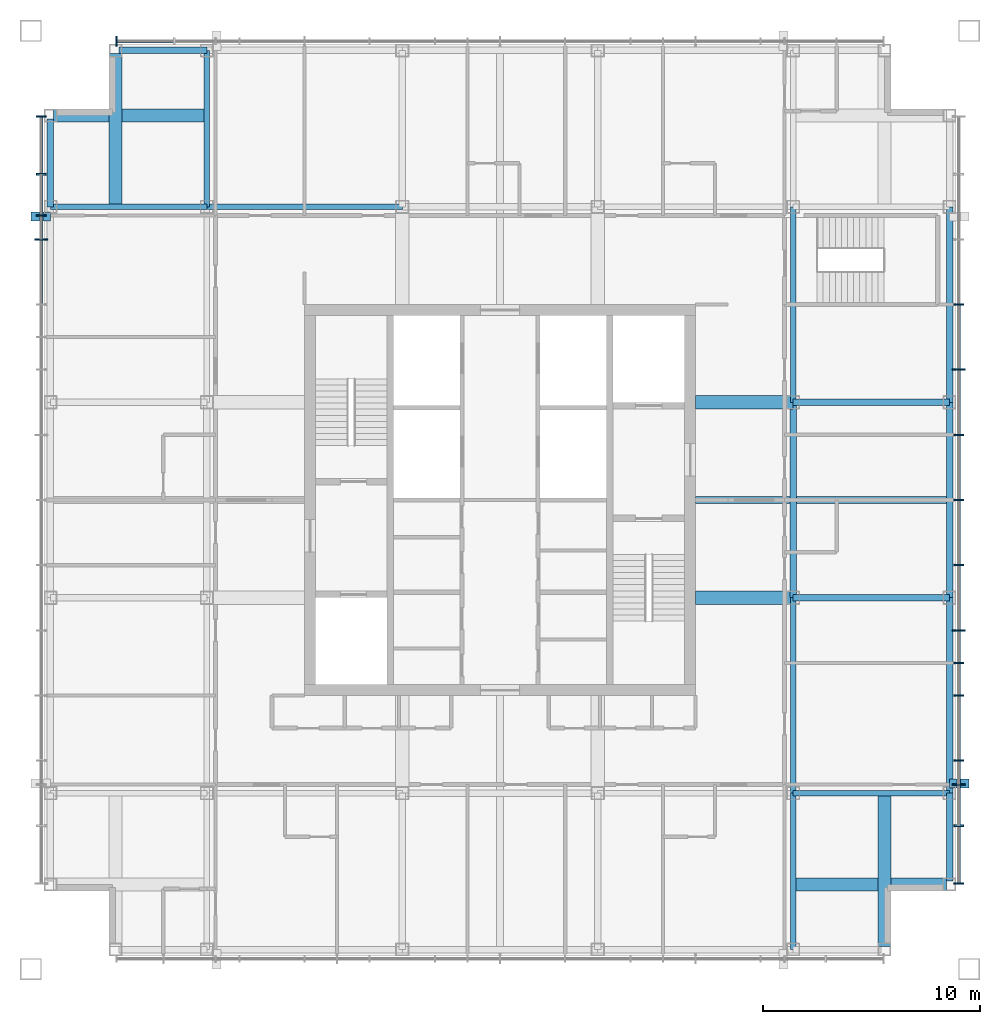
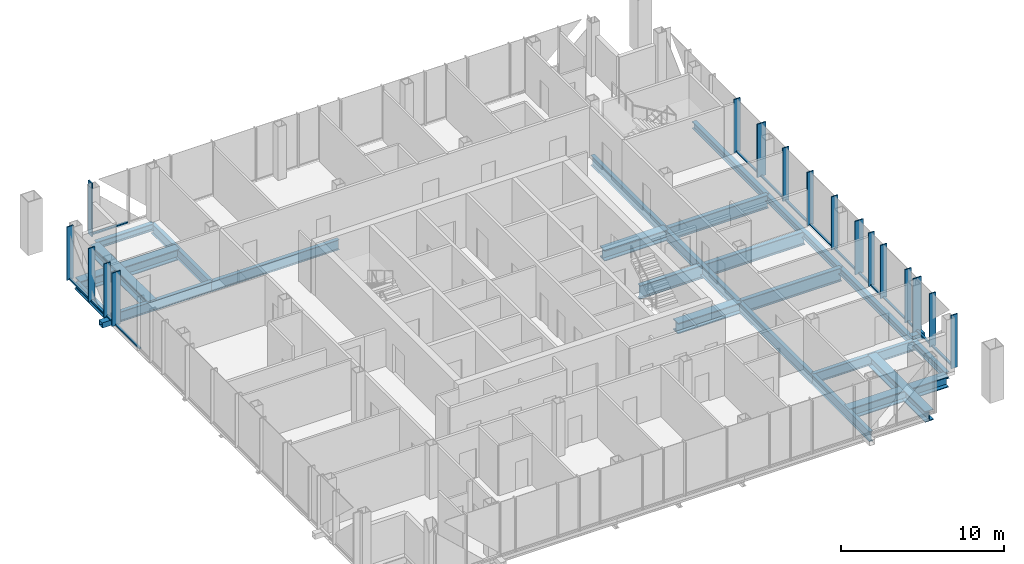
# One storey, part 4 of 11: 35 members, 23 beams, 3 elements without a shape of their own.
"""IFC4 building model written with IfcOpenShell, lengths in metres."""

from ifc_helpers import new_model, si_unit, direction, frame, origin, origin_2d, place, context, subcontext, project, spatial, rectangle, hollow_rectangle, i_section, extrude, material, layer, layer_set, material_profile, profile_set, type_object, element, aggregate, save


model = new_model("IFC4")

# Units and contexts
model_context = context("Model", 3, precision=1e-05, world=origin(), true_north=direction((0.0, 1.0)))
body_context = subcontext(model_context, "Body", "Model", "MODEL_VIEW")
ifc_project = project(units=[si_unit("LENGTHUNIT", "METRE"), si_unit("AREAUNIT", "SQUARE_METRE"), si_unit("VOLUMEUNIT", "CUBIC_METRE"), si_unit("PLANEANGLEUNIT", "RADIAN"), si_unit("MASSUNIT", "GRAM", prefix="KILO")], contexts=[model_context])

# Site, building, storey
site_placement = place(None, origin())
site = spatial("IfcSite", under=ifc_project, at=site_placement, CompositionType="ELEMENT")
building_placement = place(site_placement, origin())
building = spatial("IfcBuilding", under=site, at=building_placement, Name="Malebo Sky Hospital", CompositionType="ELEMENT")
storey_placement = place(building_placement, frame((0.0, 0.0, 282.0)))
storey = spatial("IfcBuildingStorey", under=building, at=storey_placement, Name="L68", CompositionType="ELEMENT", Elevation=282.0)

# Curtain wall, member
ifc_material_1 = material(Name="Anodised aluminium, natural silver", Category="aluminium")
ifc_layer_1 = layer(ifc_material_1, 0.25)
ifc_layer_set_1 = layer_set([ifc_layer_1], Name="WARD CURTAIN WALL NORTH AND SOUTH")
curtain_wall_type_1 = type_object("IfcCurtainWallType", Name="WARD CURTAIN WALL NORTH AND SOUTH", PredefinedType="NOTDEFINED", material=ifc_layer_set_1)
curtain_wall_1_placement = place(storey_placement, origin())
curtain_wall_1 = element("IfcCurtainWall", 1, at=curtain_wall_1_placement, inside=storey, type_object=curtain_wall_type_1, Name="NS curtain wall N", PredefinedType="NOTDEFINED")
ifc_material_profile_1 = material_profile(ifc_material_1, rectangle(XDim=0.14990234375, YDim=0.10009765625, at=origin_2d()), Name="ALUMINIUM TRANSOM 150x100")
ifc_profile_set_1 = profile_set([ifc_material_profile_1], Name="Anodised aluminium, natural silver")
member_type_1 = type_object("IfcMemberType", Name="ALUMINIUM TRANSOM 150x100", PredefinedType="USERDEFINED", material=ifc_profile_set_1)
member_1_placement = place(storey_placement, frame((42.375, 83.125, 0.050048828125), z_axis=(1.0, 0.0, 0.0), x_axis=(0.0, 1.0, 0.0)))
member_1 = element("IfcMember", 2, at=member_1_placement, type_object=member_type_1, Name="Transom 1", ObjectType="TRANSOM", PredefinedType="USERDEFINED", context=body_context, shape_type="SweptSolid", body=[
    extrude(rectangle(XDim=0.14990234375, YDim=0.10009765625, at=origin_2d()), origin(), (0.0, 0.0, 1.0), 2.58740234375),
])

# Curtain wall, members
ifc_layer_2 = layer(ifc_material_1, 0.25)
ifc_layer_set_2 = layer_set([ifc_layer_2], Name="WARD CURTAIN WALL EAST AND WEST")
curtain_wall_type_2 = type_object("IfcCurtainWallType", Name="WARD CURTAIN WALL EAST AND WEST", PredefinedType="NOTDEFINED", material=ifc_layer_set_2)
curtain_wall_2_placement = place(storey_placement, origin())
curtain_wall_2 = element("IfcCurtainWall", 3, at=curtain_wall_2_placement, inside=storey, type_object=curtain_wall_type_2, Name="EW curtain wall W", PredefinedType="NOTDEFINED")
member_2_placement = place(storey_placement, frame((38.875, 71.03759765625, 0.050048828125), z_axis=(0.0, 1.0, 0.0), x_axis=(-1.0, 0.0, 0.0)))
member_2 = element("IfcMember", 4, at=member_2_placement, type_object=member_type_1, Name="Transom 12", ObjectType="TRANSOM", PredefinedType="USERDEFINED", context=body_context, shape_type="SweptSolid", body=[
    extrude(rectangle(XDim=0.14990234375, YDim=0.10009765625, at=origin_2d()), origin(), (0.0, 0.0, 1.0), 2.9248046875),
])
member_3_placement = place(storey_placement, frame((38.875, 74.03759765625, 0.050048828125), z_axis=(0.0, 1.0, 0.0), x_axis=(-1.0, 0.0, 0.0)))
member_3 = element("IfcMember", 5, at=member_3_placement, type_object=member_type_1, Name="Transom 13", ObjectType="TRANSOM", PredefinedType="USERDEFINED", context=body_context, shape_type="SweptSolid", body=[
    extrude(rectangle(XDim=0.14990234375, YDim=0.10009765625, at=origin_2d()), origin(), (0.0, 0.0, 1.0), 1.02490234375),
])
member_4_placement = place(storey_placement, frame((38.875, 75.137451171875, 0.050048828125), z_axis=(0.0, 1.0, 0.0), x_axis=(-1.0, 0.0, 0.0)))
member_4 = element("IfcMember", 6, at=member_4_placement, type_object=member_type_1, Name="Transom 14", ObjectType="TRANSOM", PredefinedType="USERDEFINED", context=body_context, shape_type="SweptSolid", body=[
    extrude(rectangle(XDim=0.14990234375, YDim=0.10009765625, at=origin_2d()), origin(), (0.0, 0.0, 1.0), 1.824951171875),
])
member_5_placement = place(storey_placement, frame((38.875, 77.03759765625, 0.050048828125), z_axis=(0.0, 1.0, 0.0), x_axis=(-1.0, 0.0, 0.0)))
member_5 = element("IfcMember", 7, at=member_5_placement, type_object=member_type_1, Name="Transom 15", ObjectType="TRANSOM", PredefinedType="USERDEFINED", context=body_context, shape_type="SweptSolid", body=[
    extrude(rectangle(XDim=0.14990234375, YDim=0.10009765625, at=origin_2d()), origin(), (0.0, 0.0, 1.0), 2.58740234375),
])

curtain_wall_3_placement = place(storey_placement, origin())
curtain_wall_3 = element("IfcCurtainWall", 8, at=curtain_wall_3_placement, inside=storey, type_object=curtain_wall_type_2, Name="EW curtain wall E", PredefinedType="NOTDEFINED")
member_6_placement = place(storey_placement, frame((81.125, 70.96240234375, 0.050048828125), z_axis=(0.0, -1.0, 0.0), x_axis=(1.0, 0.0, 0.0)))
member_6 = element("IfcMember", 9, at=member_6_placement, type_object=member_type_1, Name="Transom 4", ObjectType="TRANSOM", PredefinedType="USERDEFINED", context=body_context, shape_type="SweptSolid", body=[
    extrude(rectangle(XDim=0.14990234375, YDim=0.10009765625, at=origin_2d()), origin(), (0.0, 0.0, 1.0), 2.9248046875),
])
member_7_placement = place(storey_placement, frame((81.125, 67.96240234375, 0.050048828125), z_axis=(0.0, -1.0, 0.0), x_axis=(1.0, 0.0, 0.0)))
member_7 = element("IfcMember", 10, at=member_7_placement, type_object=member_type_1, Name="Transom 5", ObjectType="TRANSOM", PredefinedType="USERDEFINED", context=body_context, shape_type="SweptSolid", body=[
    extrude(rectangle(XDim=0.14990234375, YDim=0.10009765625, at=origin_2d()), origin(), (0.0, 0.0, 1.0), 2.9248046875),
])
member_8_placement = place(storey_placement, frame((81.125, 64.96240234375, 0.050048828125), z_axis=(0.0, -1.0, 0.0), x_axis=(1.0, 0.0, 0.0)))
member_8 = element("IfcMember", 11, at=member_8_placement, type_object=member_type_1, Name="Transom 6", ObjectType="TRANSOM", PredefinedType="USERDEFINED", context=body_context, shape_type="SweptSolid", body=[
    extrude(rectangle(XDim=0.14990234375, YDim=0.10009765625, at=origin_2d()), origin(), (0.0, 0.0, 1.0), 2.9248046875),
])
member_9_placement = place(storey_placement, frame((81.125, 61.96240234375, 0.050048828125), z_axis=(0.0, -1.0, 0.0), x_axis=(1.0, 0.0, 0.0)))
member_9 = element("IfcMember", 12, at=member_9_placement, type_object=member_type_1, Name="Transom 7", ObjectType="TRANSOM", PredefinedType="USERDEFINED", context=body_context, shape_type="SweptSolid", body=[
    extrude(rectangle(XDim=0.14990234375, YDim=0.10009765625, at=origin_2d()), origin(), (0.0, 0.0, 1.0), 2.9248046875),
])
member_10_placement = place(storey_placement, frame((81.125, 58.96240234375, 0.050048828125), z_axis=(0.0, -1.0, 0.0), x_axis=(1.0, 0.0, 0.0)))
member_10 = element("IfcMember", 13, at=member_10_placement, type_object=member_type_1, Name="Transom 8", ObjectType="TRANSOM", PredefinedType="USERDEFINED", context=body_context, shape_type="SweptSolid", body=[
    extrude(rectangle(XDim=0.14990234375, YDim=0.10009765625, at=origin_2d()), origin(), (0.0, 0.0, 1.0), 2.9248046875),
])
member_11_placement = place(storey_placement, frame((81.125, 55.96240234375, 0.050048828125), z_axis=(0.0, -1.0, 0.0), x_axis=(1.0, 0.0, 0.0)))
member_11 = element("IfcMember", 14, at=member_11_placement, type_object=member_type_1, Name="Transom 9", ObjectType="TRANSOM", PredefinedType="USERDEFINED", context=body_context, shape_type="SweptSolid", body=[
    extrude(rectangle(XDim=0.14990234375, YDim=0.10009765625, at=origin_2d()), origin(), (0.0, 0.0, 1.0), 1.4248046875),
])
member_12_placement = place(storey_placement, frame((81.125, 54.46240234375, 0.050048828125), z_axis=(0.0, -1.0, 0.0), x_axis=(1.0, 0.0, 0.0)))
member_12 = element("IfcMember", 15, at=member_12_placement, type_object=member_type_1, Name="Transom 10", ObjectType="TRANSOM", PredefinedType="USERDEFINED", context=body_context, shape_type="SweptSolid", body=[
    extrude(rectangle(XDim=0.14990234375, YDim=0.10009765625, at=origin_2d()), origin(), (0.0, 0.0, 1.0), 1.4248046875),
])
member_13_placement = place(storey_placement, frame((81.125, 52.96240234375, 0.050048828125), z_axis=(0.0, -1.0, 0.0), x_axis=(1.0, 0.0, 0.0)))
member_13 = element("IfcMember", 16, at=member_13_placement, type_object=member_type_1, Name="Transom 11", ObjectType="TRANSOM", PredefinedType="USERDEFINED", context=body_context, shape_type="SweptSolid", body=[
    extrude(rectangle(XDim=0.14990234375, YDim=0.10009765625, at=origin_2d()), origin(), (0.0, 0.0, 1.0), 2.9248046875),
])
member_14_placement = place(storey_placement, frame((81.125, 49.96240234375, 0.050048828125), z_axis=(0.0, -1.0, 0.0), x_axis=(1.0, 0.0, 0.0)))
member_14 = element("IfcMember", 17, at=member_14_placement, type_object=member_type_1, Name="Transom 12", ObjectType="TRANSOM", PredefinedType="USERDEFINED", context=body_context, shape_type="SweptSolid", body=[
    extrude(rectangle(XDim=0.14990234375, YDim=0.10009765625, at=origin_2d()), origin(), (0.0, 0.0, 1.0), 1.02490234375),
])
member_15_placement = place(storey_placement, frame((81.125, 48.862548828125, 0.050048828125), z_axis=(0.0, -1.0, 0.0), x_axis=(1.0, 0.0, 0.0)))
member_15 = element("IfcMember", 18, at=member_15_placement, type_object=member_type_1, Name="Transom 13", ObjectType="TRANSOM", PredefinedType="USERDEFINED", context=body_context, shape_type="SweptSolid", body=[
    extrude(rectangle(XDim=0.14990234375, YDim=0.10009765625, at=origin_2d()), origin(), (0.0, 0.0, 1.0), 1.824951171875),
])
member_16_placement = place(storey_placement, frame((81.125, 46.96240234375, 0.050048828125), z_axis=(0.0, -1.0, 0.0), x_axis=(1.0, 0.0, 0.0)))
member_16 = element("IfcMember", 19, at=member_16_placement, type_object=member_type_1, Name="Transom 14", ObjectType="TRANSOM", PredefinedType="USERDEFINED", context=body_context, shape_type="SweptSolid", body=[
    extrude(rectangle(XDim=0.14990234375, YDim=0.10009765625, at=origin_2d()), origin(), (0.0, 0.0, 1.0), 2.58740234375),
])

# Members
ifc_material_2 = material(Name="Steel S355", Category="steel")
ifc_material_profile_2 = material_profile(ifc_material_2, hollow_rectangle(XDim=0.39990234375, YDim=0.39990234375, WallThickness=0.02001953125, at=origin_2d()), Name="SHS 400x20")
ifc_profile_set_2 = profile_set([ifc_material_profile_2], Name="Steel S355")
member_type_2 = type_object("IfcMemberType", Name="BRACE STRUT SHS 400x20", PredefinedType="STRUT", material=ifc_profile_set_2)
for number, where, z_axis, x_axis, name in (
    (20, (81.60009765625, 48.94384765625, -0.39990234375), (-1.0, 0.0, 0.0), (0.0, -1.0, 0.0), "Brace strut DE2 L68"),
    (21, (38.39990234375, 75.05615234375, -0.39990234375), (1.0, 0.0, 0.0), (0.0, 1.0, 0.0), "Brace strut DW2 L68"),
):
    element("IfcMember", number, at=place(storey_placement, frame(where, z_axis=z_axis, x_axis=x_axis)), inside=storey, type_object=member_type_2, Name=name, PredefinedType="STRUT", context=body_context, shape_type="SweptSolid", body=[
        extrude(hollow_rectangle(XDim=0.39990234375, YDim=0.39990234375, WallThickness=0.02001953125, at=origin_2d()), origin(), (0.0, 0.0, 1.0), 0.900146484375),
    ])

# Member
ifc_material_profile_3 = material_profile(ifc_material_1, rectangle(XDim=0.074951171875, YDim=0.449951171875, at=origin_2d()), Name="CW1 ALUMINIUM FIN MULLION 75x450")
ifc_profile_set_3 = profile_set([ifc_material_profile_3], Name="Anodised aluminium, natural silver")
member_type_3 = type_object("IfcMemberType", Name="CW1 ALUMINIUM FIN MULLION 75x450", PredefinedType="MULLION", material=ifc_profile_set_3)
member_17_placement = place(storey_placement, frame((42.33740234375, 83.125, 0.0), z_axis=(0.0, 0.0, 1.0), x_axis=(1.0, 0.0, 0.0)))
member_17 = element("IfcMember", 22, at=member_17_placement, type_object=member_type_3, Name="Fin mullion 1", PredefinedType="MULLION", context=body_context, shape_type="SweptSolid", body=[
    extrude(rectangle(XDim=0.074951171875, YDim=0.449951171875, at=origin_2d()), origin(), (0.0, 0.0, 1.0), 4.0),
])

aggregate(curtain_wall_1, [member_17, member_1])

ifc_material_profile_4 = material_profile(ifc_material_1, rectangle(XDim=0.074951171875, YDim=0.449951171875, at=origin_2d()), Name="CW2 ALUMINIUM FIN MULLION 75x450")
ifc_profile_set_4 = profile_set([ifc_material_profile_4], Name="Anodised aluminium, natural silver")
member_type_4 = type_object("IfcMemberType", Name="CW2 ALUMINIUM FIN MULLION 75x450", PredefinedType="MULLION", material=ifc_profile_set_4)
member_18_placement = place(storey_placement, frame((38.875, 75.10009765625, 0.0), z_axis=(0.0, 0.0, 1.0), x_axis=(0.0, 1.0, 0.0)))
member_18 = element("IfcMember", 23, at=member_18_placement, type_object=member_type_4, Name="Fin mullion 14", PredefinedType="MULLION", context=body_context, shape_type="SweptSolid", body=[
    extrude(rectangle(XDim=0.074951171875, YDim=0.449951171875, at=origin_2d()), origin(), (0.0, 0.0, 1.0), 4.0),
])

member_19_placement = place(storey_placement, frame((38.875, 77.0, 0.0), z_axis=(0.0, 0.0, 1.0), x_axis=(0.0, 1.0, 0.0)))
member_19 = element("IfcMember", 24, at=member_19_placement, type_object=member_type_4, Name="Fin mullion 15", PredefinedType="MULLION", context=body_context, shape_type="SweptSolid", body=[
    extrude(rectangle(XDim=0.074951171875, YDim=0.449951171875, at=origin_2d()), origin(), (0.0, 0.0, 1.0), 4.0),
])

member_20_placement = place(storey_placement, frame((38.875, 79.66259765625, 0.0), z_axis=(0.0, 0.0, 1.0), x_axis=(0.0, 1.0, 0.0)))
member_20 = element("IfcMember", 25, at=member_20_placement, type_object=member_type_4, Name="Fin mullion 16", PredefinedType="MULLION", context=body_context, shape_type="SweptSolid", body=[
    extrude(rectangle(XDim=0.074951171875, YDim=0.449951171875, at=origin_2d()), origin(), (0.0, 0.0, 1.0), 4.0),
])

member_21_placement = place(storey_placement, frame((81.125, 71.0, 0.0), z_axis=(0.0, 0.0, 1.0), x_axis=(0.0, -1.0, 0.0)))
member_21 = element("IfcMember", 26, at=member_21_placement, type_object=member_type_4, Name="Fin mullion 4", PredefinedType="MULLION", context=body_context, shape_type="SweptSolid", body=[
    extrude(rectangle(XDim=0.074951171875, YDim=0.449951171875, at=origin_2d()), origin(), (0.0, 0.0, 1.0), 4.0),
])

member_22_placement = place(storey_placement, frame((81.125, 65.0, 0.0), z_axis=(0.0, 0.0, 1.0), x_axis=(0.0, -1.0, 0.0)))
member_22 = element("IfcMember", 27, at=member_22_placement, type_object=member_type_4, Name="Fin mullion 6", PredefinedType="MULLION", context=body_context, shape_type="SweptSolid", body=[
    extrude(rectangle(XDim=0.074951171875, YDim=0.449951171875, at=origin_2d()), origin(), (0.0, 0.0, 1.0), 4.0),
])

member_23_placement = place(storey_placement, frame((81.125, 62.0, 0.0), z_axis=(0.0, 0.0, 1.0), x_axis=(0.0, -1.0, 0.0)))
member_23 = element("IfcMember", 28, at=member_23_placement, type_object=member_type_4, Name="Fin mullion 7", PredefinedType="MULLION", context=body_context, shape_type="SweptSolid", body=[
    extrude(rectangle(XDim=0.074951171875, YDim=0.449951171875, at=origin_2d()), origin(), (0.0, 0.0, 1.0), 4.0),
])

member_24_placement = place(storey_placement, frame((81.125, 59.0, 0.0), z_axis=(0.0, 0.0, 1.0), x_axis=(0.0, -1.0, 0.0)))
member_24 = element("IfcMember", 29, at=member_24_placement, type_object=member_type_4, Name="Fin mullion 8", PredefinedType="MULLION", context=body_context, shape_type="SweptSolid", body=[
    extrude(rectangle(XDim=0.074951171875, YDim=0.449951171875, at=origin_2d()), origin(), (0.0, 0.0, 1.0), 4.0),
])

member_25_placement = place(storey_placement, frame((81.125, 54.5, 0.0), z_axis=(0.0, 0.0, 1.0), x_axis=(0.0, -1.0, 0.0)))
member_25 = element("IfcMember", 30, at=member_25_placement, type_object=member_type_4, Name="Fin mullion 10", PredefinedType="MULLION", context=body_context, shape_type="SweptSolid", body=[
    extrude(rectangle(XDim=0.074951171875, YDim=0.449951171875, at=origin_2d()), origin(), (0.0, 0.0, 1.0), 4.0),
])

member_26_placement = place(storey_placement, frame((81.125, 53.0, 0.0), z_axis=(0.0, 0.0, 1.0), x_axis=(0.0, -1.0, 0.0)))
member_26 = element("IfcMember", 31, at=member_26_placement, type_object=member_type_4, Name="Fin mullion 11", PredefinedType="MULLION", context=body_context, shape_type="SweptSolid", body=[
    extrude(rectangle(XDim=0.074951171875, YDim=0.449951171875, at=origin_2d()), origin(), (0.0, 0.0, 1.0), 4.0),
])

member_27_placement = place(storey_placement, frame((81.125, 50.0, 0.0), z_axis=(0.0, 0.0, 1.0), x_axis=(0.0, -1.0, 0.0)))
member_27 = element("IfcMember", 32, at=member_27_placement, type_object=member_type_4, Name="Fin mullion 12", PredefinedType="MULLION", context=body_context, shape_type="SweptSolid", body=[
    extrude(rectangle(XDim=0.074951171875, YDim=0.449951171875, at=origin_2d()), origin(), (0.0, 0.0, 1.0), 4.0),
])

member_28_placement = place(storey_placement, frame((81.125, 47.0, 0.0), z_axis=(0.0, 0.0, 1.0), x_axis=(0.0, -1.0, 0.0)))
member_28 = element("IfcMember", 33, at=member_28_placement, type_object=member_type_4, Name="Fin mullion 14", PredefinedType="MULLION", context=body_context, shape_type="SweptSolid", body=[
    extrude(rectangle(XDim=0.074951171875, YDim=0.449951171875, at=origin_2d()), origin(), (0.0, 0.0, 1.0), 4.0),
])

member_29_placement = place(storey_placement, frame((81.125, 44.33740234375, 0.0), z_axis=(0.0, 0.0, 1.0), x_axis=(0.0, -1.0, 0.0)))
member_29 = element("IfcMember", 34, at=member_29_placement, type_object=member_type_4, Name="Fin mullion 15", PredefinedType="MULLION", context=body_context, shape_type="SweptSolid", body=[
    extrude(rectangle(XDim=0.074951171875, YDim=0.449951171875, at=origin_2d()), origin(), (0.0, 0.0, 1.0), 4.0),
])

ifc_material_profile_5 = material_profile(ifc_material_1, rectangle(XDim=0.074951171875, YDim=0.60009765625, at=origin_2d()), Name="CW2 ALUMINIUM FIN MULLION 75x600")
ifc_profile_set_5 = profile_set([ifc_material_profile_5], Name="Anodised aluminium, natural silver")
member_type_5 = type_object("IfcMemberType", Name="CW2 ALUMINIUM FIN MULLION 75x600", PredefinedType="MULLION", material=ifc_profile_set_5)
member_30_placement = place(storey_placement, frame((38.875, 74.0, 0.0), z_axis=(0.0, 0.0, 1.0), x_axis=(0.0, 1.0, 0.0)))
member_30 = element("IfcMember", 35, at=member_30_placement, type_object=member_type_5, Name="Fin mullion 13", PredefinedType="MULLION", context=body_context, shape_type="SweptSolid", body=[
    extrude(rectangle(XDim=0.074951171875, YDim=0.60009765625, at=origin_2d()), origin(), (0.0, 0.0, 1.0), 4.0),
])

aggregate(curtain_wall_2, [member_30, member_18, member_19, member_20, member_2, member_3, member_4, member_5])

member_31_placement = place(storey_placement, frame((81.125, 68.0, 0.0), z_axis=(0.0, 0.0, 1.0), x_axis=(0.0, -1.0, 0.0)))
member_31 = element("IfcMember", 36, at=member_31_placement, type_object=member_type_5, Name="Fin mullion 5", PredefinedType="MULLION", context=body_context, shape_type="SweptSolid", body=[
    extrude(rectangle(XDim=0.074951171875, YDim=0.60009765625, at=origin_2d()), origin(), (0.0, 0.0, 1.0), 4.0),
])

member_32_placement = place(storey_placement, frame((81.125, 56.0, 0.0), z_axis=(0.0, 0.0, 1.0), x_axis=(0.0, -1.0, 0.0)))
member_32 = element("IfcMember", 37, at=member_32_placement, type_object=member_type_5, Name="Fin mullion 9", PredefinedType="MULLION", context=body_context, shape_type="SweptSolid", body=[
    extrude(rectangle(XDim=0.074951171875, YDim=0.60009765625, at=origin_2d()), origin(), (0.0, 0.0, 1.0), 4.0),
])

member_33_placement = place(storey_placement, frame((81.125, 48.89990234375, 0.0), z_axis=(0.0, 0.0, 1.0), x_axis=(0.0, -1.0, 0.0)))
member_33 = element("IfcMember", 38, at=member_33_placement, type_object=member_type_5, Name="Fin mullion 13", PredefinedType="MULLION", context=body_context, shape_type="SweptSolid", body=[
    extrude(rectangle(XDim=0.074951171875, YDim=0.60009765625, at=origin_2d()), origin(), (0.0, 0.0, 1.0), 4.0),
])

aggregate(curtain_wall_3, [member_21, member_31, member_22, member_23, member_24, member_32, member_25, member_26, member_27, member_33, member_28, member_29, member_6, member_7, member_8, member_9, member_10, member_11, member_12, member_13, member_14, member_15, member_16])

# Beams
ifc_material_profile_6 = material_profile(ifc_material_2, i_section(OverallWidth=0.305908203125, OverallDepth=0.52392578125, WebThickness=0.02099609375, FlangeThickness=0.0400390625, FilletRadius=0.027099609375, at=origin_2d()), Name="HEM 500")
ifc_profile_set_6 = profile_set([ifc_material_profile_6], Name="Steel S355")
beam_type_1 = type_object("IfcBeamType", Name="EDGE BEAM HEM 500", PredefinedType="BEAM", material=ifc_profile_set_6)
for number, where, z_axis, x_axis, name in (
    (39, (39.300048828125, 75.5, -0.511962890625), (0.0, 1.0, 0.0), (-1.0, 0.0, 0.0), "Beam 004 L68"),
    (40, (80.699951171875, 44.449951171875, -0.511962890625), (0.0, 1.0, 0.0), (-1.0, 0.0, 0.0), "Beam 029 L68"),
):
    element("IfcBeam", number, at=place(storey_placement, frame(where, z_axis=z_axis, x_axis=x_axis)), inside=storey, type_object=beam_type_1, Name=name, PredefinedType="BEAM", context=body_context, shape_type="SweptSolid", body=[
        extrude(i_section(OverallWidth=0.305908203125, OverallDepth=0.52392578125, WebThickness=0.02099609375, FlangeThickness=0.0400390625, FilletRadius=0.027099609375, at=origin_2d()), origin(), (0.0, 0.0, 1.0), 4.050048828125),
    ])
for number, where, z_axis, x_axis, name in (
    (41, (80.699951171875, 48.5, -0.511962890625), (0.0, 1.0, 0.0), (-1.0, 0.0, 0.0), "Beam 030 L68"),
    (42, (80.699951171875, 57.5, -0.511962890625), (0.0, 1.0, 0.0), (-1.0, 0.0, 0.0), "Beam 031 L68"),
    (43, (80.699951171875, 66.5, -0.511962890625), (0.0, 1.0, 0.0), (-1.0, 0.0, 0.0), "Beam 032 L68"),
):
    element("IfcBeam", number, at=place(storey_placement, frame(where, z_axis=z_axis, x_axis=x_axis)), inside=storey, type_object=beam_type_1, Name=name, PredefinedType="BEAM", context=body_context, shape_type="SweptSolid", body=[
        extrude(i_section(OverallWidth=0.305908203125, OverallDepth=0.52392578125, WebThickness=0.02099609375, FlangeThickness=0.0400390625, FilletRadius=0.027099609375, at=origin_2d()), origin(), (0.0, 0.0, 1.0), 9.0),
    ])
beam_1_placement = place(storey_placement, frame((42.449951171875, 82.699951171875, -0.511962890625), z_axis=(1.0, 0.0, 0.0), x_axis=(0.0, 1.0, 0.0)))
element("IfcBeam", 44, at=beam_1_placement, inside=storey, type_object=beam_type_1, Name="Beam 063 L68", PredefinedType="BEAM", context=body_context, shape_type="SweptSolid", body=[
    extrude(i_section(OverallWidth=0.305908203125, OverallDepth=0.52392578125, WebThickness=0.02099609375, FlangeThickness=0.0400390625, FilletRadius=0.027099609375, at=origin_2d()), origin(), (0.0, 0.0, 1.0), 4.050048828125),
])
ifc_material_profile_7 = material_profile(ifc_material_2, i_section(OverallWidth=0.300048828125, OverallDepth=1.0, WebThickness=0.01904296875, FlangeThickness=0.035888671875, FilletRadius=0.030029296875, at=origin_2d()), Name="HEB 1000")
ifc_profile_set_7 = profile_set([ifc_material_profile_7], Name="Steel S355")
beam_type_2 = type_object("IfcBeamType", Name="FLOOR BEAM HEB 1000", PredefinedType="BEAM", material=ifc_profile_set_7)
beam_2_placement = place(storey_placement, frame((73.5, 57.5, -0.75), z_axis=(1.0, 0.0, 0.0), x_axis=(0.0, 1.0, 0.0)))
element("IfcBeam", 45, at=beam_2_placement, inside=storey, type_object=beam_type_2, Name="Beam 049 L68", PredefinedType="BEAM", context=body_context, shape_type="SweptSolid", body=[
    extrude(i_section(OverallWidth=0.300048828125, OverallDepth=1.0, WebThickness=0.01904296875, FlangeThickness=0.035888671875, FilletRadius=0.030029296875, at=origin_2d()), origin(), (0.0, 0.0, 1.0), 7.199951171875),
])
beam_3_placement = place(storey_placement, frame((69.0, 62.0, -0.75), z_axis=(1.0, 0.0, 0.0), x_axis=(0.0, 1.0, 0.0)))
element("IfcBeam", 46, at=beam_3_placement, inside=storey, type_object=beam_type_2, Name="Beam 051 L68", PredefinedType="BEAM", context=body_context, shape_type="SweptSolid", body=[
    extrude(i_section(OverallWidth=0.300048828125, OverallDepth=1.0, WebThickness=0.01904296875, FlangeThickness=0.035888671875, FilletRadius=0.030029296875, at=origin_2d()), origin(), (0.0, 0.0, 1.0), 11.699951171875),
])
beam_4_placement = place(storey_placement, frame((73.5, 66.5, -0.75), z_axis=(1.0, 0.0, 0.0), x_axis=(0.0, 1.0, 0.0)))
element("IfcBeam", 47, at=beam_4_placement, inside=storey, type_object=beam_type_2, Name="Beam 055 L68", PredefinedType="BEAM", context=body_context, shape_type="SweptSolid", body=[
    extrude(i_section(OverallWidth=0.300048828125, OverallDepth=1.0, WebThickness=0.01904296875, FlangeThickness=0.035888671875, FilletRadius=0.030029296875, at=origin_2d()), origin(), (0.0, 0.0, 1.0), 7.199951171875),
])
ifc_material_profile_8 = material_profile(ifc_material_2, i_section(OverallWidth=0.26708984375, OverallDepth=0.761962890625, WebThickness=0.014404296875, FlangeThickness=0.021484375, FilletRadius=0.01708984375, at=origin_2d()), Name="IPE 750x173")
ifc_profile_set_8 = profile_set([ifc_material_profile_8], Name="Steel S355")
beam_type_3 = type_object("IfcBeamType", Name="FLOOR BEAM IPE 750x173", PredefinedType="BEAM", material=ifc_profile_set_8)
for number, where, z_axis, x_axis, name in (
    (48, (73.5, 48.5, -0.631103515625), (0.0, 1.0, 0.0), (-1.0, 0.0, 0.0), "Beam 023 L68"),
    (49, (73.5, 66.5, -0.631103515625), (0.0, 1.0, 0.0), (-1.0, 0.0, 0.0), "Beam 025 L68"),
    (50, (46.5, 75.5, -0.631103515625), (1.0, 0.0, 0.0), (0.0, 1.0, 0.0), "Beam 057 L68"),
):
    element("IfcBeam", number, at=place(storey_placement, frame(where, z_axis=z_axis, x_axis=x_axis)), inside=storey, type_object=beam_type_3, Name=name, PredefinedType="BEAM", context=body_context, shape_type="SweptSolid", body=[
        extrude(i_section(OverallWidth=0.26708984375, OverallDepth=0.761962890625, WebThickness=0.014404296875, FlangeThickness=0.021484375, FilletRadius=0.01708984375, at=origin_2d()), origin(), (0.0, 0.0, 1.0), 9.0),
    ])
ifc_material_profile_9 = material_profile(ifc_material_2, i_section(OverallWidth=0.60009765625, OverallDepth=0.800048828125, WebThickness=0.0400390625, FlangeThickness=0.06005859375, at=origin_2d()), Name="PG 800x600x40x60")
ifc_profile_set_9 = profile_set([ifc_material_profile_9], Name="Steel S355")
beam_type_4 = type_object("IfcBeamType", Name="FLOOR BEAM PG 800x600x40x60", PredefinedType="BEAM", material=ifc_profile_set_9)
for number, where, z_axis, x_axis, name in (
    (51, (42.300048828125, 75.5, -0.64990234375), (0.0, 1.0, 0.0), (-1.0, 0.0, 0.0), "Beam 006 L68"),
    (52, (77.699951171875, 41.449951171875, -0.64990234375), (0.0, 1.0, 0.0), (-1.0, 0.0, 0.0), "Beam 027 L68"),
    (53, (73.5, 44.300048828125, -0.64990234375), (1.0, 0.0, 0.0), (0.0, 1.0, 0.0), "Beam 040 L68"),
):
    element("IfcBeam", number, at=place(storey_placement, frame(where, z_axis=z_axis, x_axis=x_axis)), inside=storey, type_object=beam_type_4, Name=name, PredefinedType="BEAM", context=body_context, shape_type="SweptSolid", body=[
        extrude(i_section(OverallWidth=0.60009765625, OverallDepth=0.800048828125, WebThickness=0.0400390625, FlangeThickness=0.06005859375, at=origin_2d()), origin(), (0.0, 0.0, 1.0), 7.050048828125),
    ])
for number, where, z_axis, x_axis, name in (
    (54, (69.0, 57.5, -0.64990234375), (1.0, 0.0, 0.0), (0.0, 1.0, 0.0), "Beam 048 L68"),
    (55, (69.0, 66.5, -0.64990234375), (1.0, 0.0, 0.0), (0.0, 1.0, 0.0), "Beam 054 L68"),
):
    element("IfcBeam", number, at=place(storey_placement, frame(where, z_axis=z_axis, x_axis=x_axis)), inside=storey, type_object=beam_type_4, Name=name, PredefinedType="BEAM", context=body_context, shape_type="SweptSolid", body=[
        extrude(i_section(OverallWidth=0.60009765625, OverallDepth=0.800048828125, WebThickness=0.0400390625, FlangeThickness=0.06005859375, at=origin_2d()), origin(), (0.0, 0.0, 1.0), 4.5),
    ])
beam_5_placement = place(storey_placement, frame((39.449951171875, 79.699951171875, -0.64990234375), z_axis=(1.0, 0.0, 0.0), x_axis=(0.0, 1.0, 0.0)))
element("IfcBeam", 56, at=beam_5_placement, inside=storey, type_object=beam_type_4, Name="Beam 061 L68", PredefinedType="BEAM", context=body_context, shape_type="SweptSolid", body=[
    extrude(i_section(OverallWidth=0.60009765625, OverallDepth=0.800048828125, WebThickness=0.0400390625, FlangeThickness=0.06005859375, at=origin_2d()), origin(), (0.0, 0.0, 1.0), 7.050048828125),
])
ifc_material_profile_10 = material_profile(ifc_material_2, i_section(OverallWidth=0.262939453125, OverallDepth=0.7529296875, WebThickness=0.011474609375, FlangeThickness=0.01708984375, FilletRadius=0.01708984375, at=origin_2d()), Name="IPE 750x137")
ifc_profile_set_10 = profile_set([ifc_material_profile_10], Name="Steel S355")
beam_type_5 = type_object("IfcBeamType", Name="FLOOR GIRDER IPE 750x137", PredefinedType="BEAM", material=ifc_profile_set_10)
for number, where, z_axis, x_axis, name in (
    (57, (46.5, 75.5, -0.62646484375), (0.0, 1.0, 0.0), (-1.0, 0.0, 0.0), "Beam 011 L68"),
    (58, (73.5, 41.300048828125, -0.62646484375), (0.0, 1.0, 0.0), (-1.0, 0.0, 0.0), "Beam 022 L68"),
    (59, (73.5, 48.5, -0.62646484375), (1.0, 0.0, 0.0), (0.0, 1.0, 0.0), "Beam 045 L68"),
    (60, (39.300048828125, 75.5, -0.62646484375), (1.0, 0.0, 0.0), (0.0, 1.0, 0.0), "Beam 056 L68"),
):
    element("IfcBeam", number, at=place(storey_placement, frame(where, z_axis=z_axis, x_axis=x_axis)), inside=storey, type_object=beam_type_5, Name=name, PredefinedType="BEAM", context=body_context, shape_type="SweptSolid", body=[
        extrude(i_section(OverallWidth=0.262939453125, OverallDepth=0.7529296875, WebThickness=0.011474609375, FlangeThickness=0.01708984375, FilletRadius=0.01708984375, at=origin_2d()), origin(), (0.0, 0.0, 1.0), 7.199951171875),
    ])
ifc_material_profile_11 = material_profile(ifc_material_2, i_section(OverallWidth=0.300048828125, OverallDepth=0.800048828125, WebThickness=0.017578125, FlangeThickness=0.032958984375, FilletRadius=0.030029296875, at=origin_2d()), Name="HEB 800")
ifc_profile_set_11 = profile_set([ifc_material_profile_11], Name="Steel S355")
beam_type_6 = type_object("IfcBeamType", Name="RING GIRDER HEB 800", PredefinedType="BEAM", material=ifc_profile_set_11)
beam_6_placement = place(storey_placement, frame((73.5, 57.5, -0.64990234375), z_axis=(0.0, 1.0, 0.0), x_axis=(-1.0, 0.0, 0.0)))
element("IfcBeam", 61, at=beam_6_placement, inside=storey, type_object=beam_type_6, Name="Beam 024 L68", PredefinedType="BEAM", context=body_context, shape_type="SweptSolid", body=[
    extrude(i_section(OverallWidth=0.300048828125, OverallDepth=0.800048828125, WebThickness=0.017578125, FlangeThickness=0.032958984375, FilletRadius=0.030029296875, at=origin_2d()), origin(), (0.0, 0.0, 1.0), 9.0),
])

save(model, "model.ifc")
